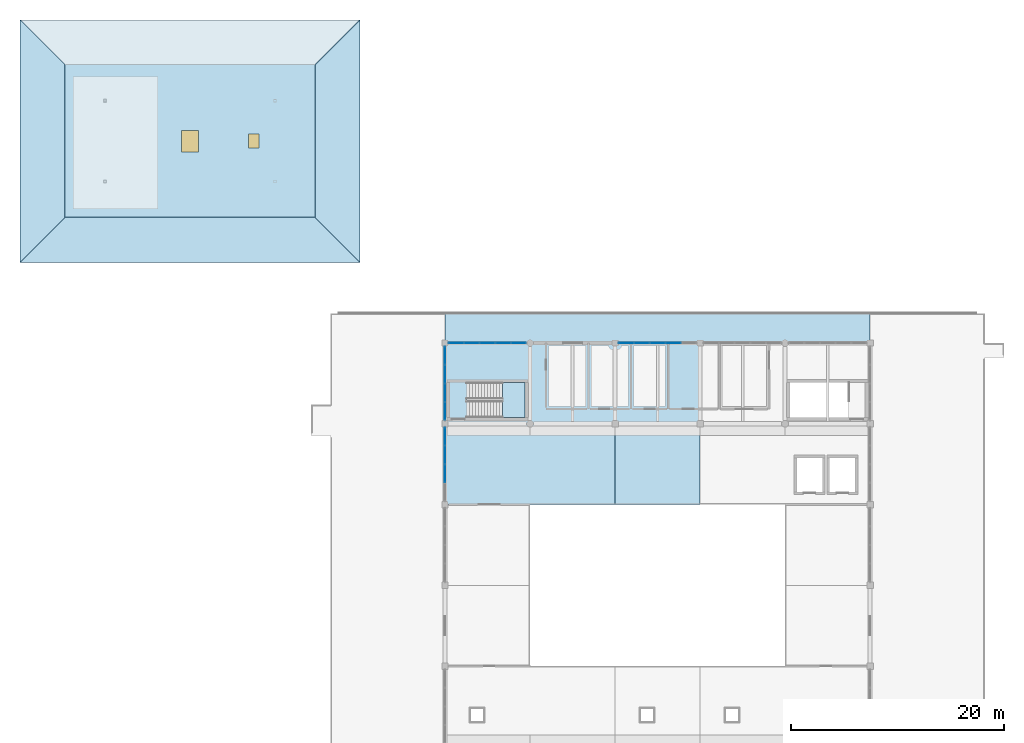
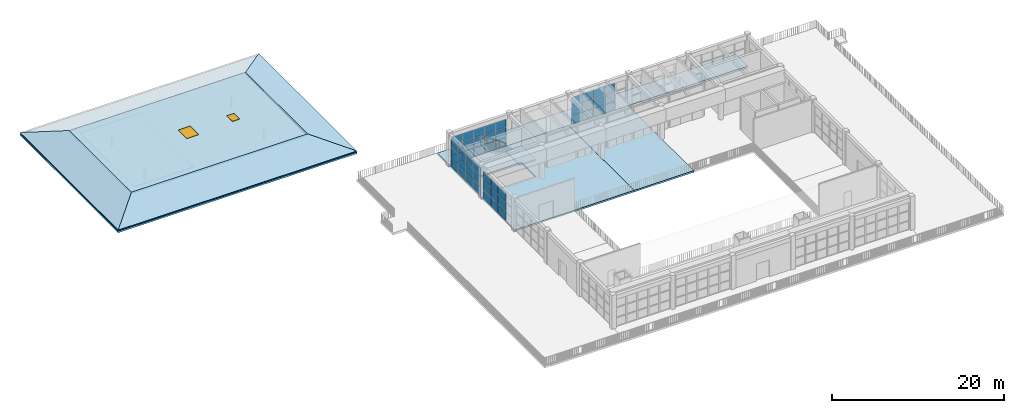
# One storey, part 23 of 32: 48 plates, 9 slabs, 1 door, 1 window, 2 openings, 6 elements without a shape of their own.
"""IFC4 building model written with IfcOpenShell, lengths in metres."""

from ifc_helpers import new_model, si_unit, direction, frame, origin, origin_2d, place, context, subcontext, project, spatial, polyline, rectangle, outline, extrude, material, layer, layer_set, type_object, element, fill, aggregate, save


model = new_model("IFC4")

# Units and contexts
model_context = context("Model", 3, precision=1e-05, world=origin(), true_north=direction((0.0, 1.0)))
body_context = subcontext(model_context, "Body", "Model", "MODEL_VIEW")
ifc_project = project(units=[si_unit("LENGTHUNIT", "METRE"), si_unit("AREAUNIT", "SQUARE_METRE"), si_unit("VOLUMEUNIT", "CUBIC_METRE"), si_unit("PLANEANGLEUNIT", "RADIAN"), si_unit("MASSUNIT", "GRAM", prefix="KILO")], contexts=[model_context])

# Site, building, storey
site_placement = place(None, origin())
site = spatial("IfcSite", under=ifc_project, at=site_placement, CompositionType="ELEMENT")
building_placement = place(site_placement, origin())
building = spatial("IfcBuilding", under=site, at=building_placement, Name="Zantavel Square City Hall", CompositionType="ELEMENT")
storey_placement = place(building_placement, frame((0.0, 0.0, 23.699951171875)))
storey = spatial("IfcBuildingStorey", under=building, at=storey_placement, Name="L06", CompositionType="ELEMENT", Elevation=23.699951171875)

# Stair, slab
ifc_material_1 = material(Name="Concrete C35/45", Category="concrete")
stair_type = type_object("IfcStairType", Name="Enclosed Core Dogleg Stair L06 H4800", PredefinedType="HALF_TURN_STAIR", material=ifc_material_1)
stair_placement = place(storey_placement, origin())
stair = element("IfcStair", 1, at=stair_placement, inside=storey, type_object=stair_type, Name="L06 Exit Stair 5 Central West Core", PredefinedType="HALF_TURN_STAIR")
ifc_layer_1 = layer(ifc_material_1, 0.2099609375, Name="Concrete C35/45")
ifc_layer_set_1 = layer_set([ifc_layer_1], Name="Concrete C35/45")
slab_type_1 = type_object("IfcSlabType", Name="Core Stair Half-Landing Slab C35/45", PredefinedType="LANDING", material=ifc_layer_set_1)
slab_1_placement = place(storey_placement, frame((0.0, 0.0, 2.199951171875)))
slab_1 = element("IfcSlab", 2, at=slab_1_placement, type_object=slab_type_1, Name="ST5 landing 1", PredefinedType="LANDING", context=body_context, shape_type="SweptSolid", body=[
    extrude(outline(polyline([(69.389892578125, 61.39990234375), (71.530029296875, 61.39990234375), (71.530029296875, 64.669921875), (69.389892578125, 64.669921875), (69.389892578125, 61.39990234375)])), origin(), (0.0, 0.0, 1.0), 0.2001953125),
])
aggregate(stair, [slab_1])

# Slabs
ifc_layer_2 = layer(ifc_material_1, 0.22998046875, Name="Concrete C35/45")
ifc_layer_set_2 = layer_set([ifc_layer_2], Name="Concrete C35/45")
slab_type_2 = type_object("IfcSlabType", Name="Gallery Mezzanine Slab 230mm C35/45", PredefinedType="FLOOR", material=ifc_layer_set_2)
slab_2_placement = place(storey_placement, frame((0.0, 0.0, -0.22998046875)))
element("IfcSlab", 3, at=slab_2_placement, inside=storey, type_object=slab_type_2, Name="L06 Floor Slab SLB-L06-V1-07", PredefinedType="FLOOR", context=body_context, shape_type="SweptSolid", body=[
    extrude(outline(polyline([(80.0, 53.199951171875), (72.0, 53.199951171875), (72.0, 53.199951171875), (64.0, 53.199951171875), (64.0, 68.39990234375), (80.0, 68.39990234375), (80.0, 53.199951171875)]), holes=[polyline([(71.530029296875, 64.669921875), (66.050048828125, 64.669921875), (66.050048828125, 61.39990234375), (71.530029296875, 61.39990234375), (71.530029296875, 64.669921875)])]), origin(), (0.0, 0.0, 1.0), 0.22998046875),
])
slab_3_placement = place(storey_placement, frame((0.0, 0.0, -0.22998046875)))
element("IfcSlab", 4, at=slab_3_placement, inside=storey, type_object=slab_type_2, Name="L06 Floor Slab SLB-L06-V1-08", PredefinedType="FLOOR", context=body_context, shape_type="SweptSolid", body=[
    extrude(outline(polyline([(88.0, 53.199951171875), (80.0, 53.199951171875), (80.0, 68.39990234375), (88.0, 68.39990234375), (88.0, 53.199951171875)])), origin(), (0.0, 0.0, 1.0), 0.22998046875),
])

# Roof, slab, openings, door, window
ifc_material_2 = material(Name="Patinated copper-zinc standing seam", Category="aluminium")
roof_type = type_object("IfcRoofType", Name="Copper-Zinc Mansard Roof Assembly", PredefinedType="MANSARD_ROOF", material=ifc_material_2)
roof_placement = place(storey_placement, origin())
roof = element("IfcRoof", 5, at=roof_placement, inside=storey, type_object=roof_type, Name="L06 Copper-Zinc Mansard Roof ROOF-V5-MANSARD", PredefinedType="MANSARD_ROOF")
ifc_layer_3 = layer(ifc_material_1, 0.219970703125, Name="Concrete C35/45")
ifc_layer_set_3 = layer_set([ifc_layer_3], Name="Concrete C35/45")
slab_type_3 = type_object("IfcSlabType", Name="Insulated Flat Roof Slab 220mm C35/45", PredefinedType="ROOF", material=ifc_layer_set_3)
slab_4_placement = place(storey_placement, frame((0.0, 0.0, 1.29296875)))
slab_4 = element("IfcSlab", 6, at=slab_4_placement, type_object=slab_type_3, Name="ROOF-V5-MANSARD Mansard Crown Roof Slab", PredefinedType="ROOF", context=body_context, shape_type="SweptSolid", body=[
    extrude(outline(polyline([(28.179931640625, 80.179931640625), (51.820068359375, 80.179931640625), (51.820068359375, 94.6201171875), (28.179931640625, 94.6201171875), (28.179931640625, 80.179931640625)])), origin(), (0.0, 0.0, 1.0), 0.219970703125),
])
opening_1_placement = place(slab_4_placement, frame((40.0, 87.39990234375, 0.0)))
opening_1 = element("IfcOpeningElement", 7, at=opening_1_placement, cuts=slab_4, Name="Opening SK-08", PredefinedType="OPENING", context=body_context, shape_type="SweptSolid", body=[
    extrude(rectangle(XDim=1.60009765625, YDim=2.0, at=origin_2d()), frame((0.0, 0.0, -0.02001953125)), (0.0, 0.0, 1.0), 0.260009765625),
])
opening_2_placement = place(slab_4_placement, frame((46.0, 87.39990234375, 0.0)))
opening_2 = element("IfcOpeningElement", 8, at=opening_2_placement, cuts=slab_4, Name="Opening RH-06", PredefinedType="OPENING", context=body_context, shape_type="SweptSolid", body=[
    extrude(rectangle(XDim=1.0, YDim=1.300048828125, at=origin_2d()), frame((0.0, 0.0, -0.02001953125)), (0.0, 0.0, 1.0), 0.284912109375),
])
ifc_material_3 = material(Name="Anodised aluminium 6063-T6", Category="aluminium")
door_type = type_object("IfcDoorType", Name="Insulated Roof Maintenance Hatch 1000x1300", OperationType="NOTDEFINED", PredefinedType="TRAPDOOR", material=ifc_material_3)
door_placement = place(opening_2_placement, frame((0.0, 0.0, 0.19482421875)))
door = element("IfcDoor", 9, at=door_placement, inside=storey, type_object=door_type, Name="L06 Roof Maintenance Hatch RH-06", OperationType="SINGLE_SWING_LEFT", OverallHeight=1.300048828125, OverallWidth=1.0, PredefinedType="TRAPDOOR", context=body_context, shape_type="SweptSolid", body=[
    extrude(rectangle(XDim=1.0, YDim=1.300048828125, at=origin_2d()), origin(), (0.0, 0.0, 1.0), 0.050048828125),
])
fill(opening_2, door)
ifc_material_4 = material(Name="Tempered safety glass low-E double glazing", Category="glass")
window_type = type_object("IfcWindowType", Name="Skylight Mansard Crown 1600x2000", PartitioningType="SINGLE_PANEL", PredefinedType="SKYLIGHT", material=ifc_material_4)
window_placement = place(opening_1_placement, frame((0.0, 0.0, 0.169921875)))
window = element("IfcWindow", 10, at=window_placement, inside=storey, type_object=window_type, Name="L06 Roof Skylight SK-08", OverallHeight=2.0, OverallWidth=1.60009765625, PartitioningType="SINGLE_PANEL", PredefinedType="SKYLIGHT", context=body_context, shape_type="SweptSolid", body=[
    extrude(rectangle(XDim=1.60009765625, YDim=2.0, at=origin_2d()), origin(), (0.0, 0.0, 1.0), 0.050048828125),
])
fill(opening_1, window)

# Slab
slab_5_placement = place(storey_placement, frame((0.0, 0.0, -0.219970703125)))
element("IfcSlab", 11, at=slab_5_placement, inside=storey, type_object=slab_type_3, Name="L06 Insulated Flat Roof Slab SLB-ROOF-V5-MANSARD-BASE1-1", PredefinedType="ROOF", context=body_context, shape_type="SweptSolid", body=[
    extrude(outline(polyline([(24.0, 76.0), (24.0, 98.800048828125), (56.0, 98.800048828125), (56.0, 76.0), (24.0, 76.0)])), origin(), (0.0, 0.0, 1.0), 0.219970703125),
])

# Curtain wall, plates
curtain_wall_type_1 = type_object("IfcCurtainWallType", Name="Curtain Wall TRV1 7375x3930", PredefinedType="USERDEFINED", material=ifc_material_3)
curtain_wall_1_placement = place(storey_placement, origin())
curtain_wall_1 = element("IfcCurtainWall", 12, at=curtain_wall_1_placement, inside=storey, type_object=curtain_wall_type_1, Name="L06 Glazed Curtain Wall CW-L06-146", ObjectType="GLAZED CURTAIN WALL", PredefinedType="USERDEFINED")
ifc_layer_4 = layer(ifc_material_4, 0.028076171875, Name="Tempered safety glass low-E double glazing")
ifc_layer_set_4 = layer_set([ifc_layer_4], Name="Tempered safety glass low-E double glazing")
plate_type_1 = type_object("IfcPlateType", Name="Low-E Curtain Glazing Panel 1475x1310x28", PredefinedType="CURTAIN_PANEL", material=ifc_layer_set_4)
plate_1_placement = place(storey_placement, frame((65.052490234375, 68.39990234375, 0.06005859375), z_axis=(0.0, 0.0, 1.0), x_axis=(1.0, 0.0, 0.0)))
plate_1 = element("IfcPlate", 13, at=plate_1_placement, type_object=plate_type_1, Name="CW-146 panel 1.1", PredefinedType="CURTAIN_PANEL", context=body_context, shape_type="SweptSolid", body=[
    extrude(rectangle(XDim=1.385009765625, YDim=0.028076171875, at=origin_2d()), origin(), (0.0, 0.0, 1.0), 1.16796875),
])
plate_2_placement = place(storey_placement, frame((65.052490234375, 68.39990234375, 1.2880859375), z_axis=(0.0, 0.0, 1.0), x_axis=(1.0, 0.0, 0.0)))
plate_2 = element("IfcPlate", 14, at=plate_2_placement, type_object=plate_type_1, Name="CW-146 panel 1.2", PredefinedType="CURTAIN_PANEL", context=body_context, shape_type="SweptSolid", body=[
    extrude(rectangle(XDim=1.385009765625, YDim=0.028076171875, at=origin_2d()), origin(), (0.0, 0.0, 1.0), 1.35400390625),
])
plate_3_placement = place(storey_placement, frame((65.052490234375, 68.39990234375, 2.7021484375), z_axis=(0.0, 0.0, 1.0), x_axis=(1.0, 0.0, 0.0)))
plate_3 = element("IfcPlate", 15, at=plate_3_placement, type_object=plate_type_1, Name="CW-146 panel 1.3", PredefinedType="CURTAIN_PANEL", context=body_context, shape_type="SweptSolid", body=[
    extrude(rectangle(XDim=1.385009765625, YDim=0.028076171875, at=origin_2d()), origin(), (0.0, 0.0, 1.0), 1.16796875),
])
plate_4_placement = place(storey_placement, frame((66.512451171875, 68.39990234375, 0.06005859375), z_axis=(0.0, 0.0, 1.0), x_axis=(1.0, 0.0, 0.0)))
plate_4 = element("IfcPlate", 16, at=plate_4_placement, type_object=plate_type_1, Name="CW-146 panel 2.1", PredefinedType="CURTAIN_PANEL", context=body_context, shape_type="SweptSolid", body=[
    extrude(rectangle(XDim=1.4150390625, YDim=0.028076171875, at=origin_2d()), origin(), (0.0, 0.0, 1.0), 1.16796875),
])
plate_5_placement = place(storey_placement, frame((66.512451171875, 68.39990234375, 1.2880859375), z_axis=(0.0, 0.0, 1.0), x_axis=(1.0, 0.0, 0.0)))
plate_5 = element("IfcPlate", 17, at=plate_5_placement, type_object=plate_type_1, Name="CW-146 panel 2.2", PredefinedType="CURTAIN_PANEL", context=body_context, shape_type="SweptSolid", body=[
    extrude(rectangle(XDim=1.4150390625, YDim=0.028076171875, at=origin_2d()), origin(), (0.0, 0.0, 1.0), 1.35400390625),
])
plate_6_placement = place(storey_placement, frame((66.512451171875, 68.39990234375, 2.7021484375), z_axis=(0.0, 0.0, 1.0), x_axis=(1.0, 0.0, 0.0)))
plate_6 = element("IfcPlate", 18, at=plate_6_placement, type_object=plate_type_1, Name="CW-146 panel 2.3", PredefinedType="CURTAIN_PANEL", context=body_context, shape_type="SweptSolid", body=[
    extrude(rectangle(XDim=1.4150390625, YDim=0.028076171875, at=origin_2d()), origin(), (0.0, 0.0, 1.0), 1.16796875),
])
plate_7_placement = place(storey_placement, frame((67.987548828125, 68.39990234375, 0.06005859375), z_axis=(0.0, 0.0, 1.0), x_axis=(1.0, 0.0, 0.0)))
plate_7 = element("IfcPlate", 19, at=plate_7_placement, type_object=plate_type_1, Name="CW-146 panel 3.1", PredefinedType="CURTAIN_PANEL", context=body_context, shape_type="SweptSolid", body=[
    extrude(rectangle(XDim=1.4150390625, YDim=0.028076171875, at=origin_2d()), origin(), (0.0, 0.0, 1.0), 1.16796875),
])
plate_8_placement = place(storey_placement, frame((67.987548828125, 68.39990234375, 1.2880859375), z_axis=(0.0, 0.0, 1.0), x_axis=(1.0, 0.0, 0.0)))
plate_8 = element("IfcPlate", 20, at=plate_8_placement, type_object=plate_type_1, Name="CW-146 panel 3.2", PredefinedType="CURTAIN_PANEL", context=body_context, shape_type="SweptSolid", body=[
    extrude(rectangle(XDim=1.4150390625, YDim=0.028076171875, at=origin_2d()), origin(), (0.0, 0.0, 1.0), 1.35400390625),
])
plate_9_placement = place(storey_placement, frame((67.987548828125, 68.39990234375, 2.7021484375), z_axis=(0.0, 0.0, 1.0), x_axis=(1.0, 0.0, 0.0)))
plate_9 = element("IfcPlate", 21, at=plate_9_placement, type_object=plate_type_1, Name="CW-146 panel 3.3", PredefinedType="CURTAIN_PANEL", context=body_context, shape_type="SweptSolid", body=[
    extrude(rectangle(XDim=1.4150390625, YDim=0.028076171875, at=origin_2d()), origin(), (0.0, 0.0, 1.0), 1.16796875),
])
plate_10_placement = place(storey_placement, frame((69.46240234375, 68.39990234375, 0.06005859375), z_axis=(0.0, 0.0, 1.0), x_axis=(1.0, 0.0, 0.0)))
plate_10 = element("IfcPlate", 22, at=plate_10_placement, type_object=plate_type_1, Name="CW-146 panel 4.1", PredefinedType="CURTAIN_PANEL", context=body_context, shape_type="SweptSolid", body=[
    extrude(rectangle(XDim=1.4150390625, YDim=0.028076171875, at=origin_2d()), origin(), (0.0, 0.0, 1.0), 1.16796875),
])
plate_11_placement = place(storey_placement, frame((69.46240234375, 68.39990234375, 1.2880859375), z_axis=(0.0, 0.0, 1.0), x_axis=(1.0, 0.0, 0.0)))
plate_11 = element("IfcPlate", 23, at=plate_11_placement, type_object=plate_type_1, Name="CW-146 panel 4.2", PredefinedType="CURTAIN_PANEL", context=body_context, shape_type="SweptSolid", body=[
    extrude(rectangle(XDim=1.4150390625, YDim=0.028076171875, at=origin_2d()), origin(), (0.0, 0.0, 1.0), 1.35400390625),
])
plate_12_placement = place(storey_placement, frame((69.46240234375, 68.39990234375, 2.7021484375), z_axis=(0.0, 0.0, 1.0), x_axis=(1.0, 0.0, 0.0)))
plate_12 = element("IfcPlate", 24, at=plate_12_placement, type_object=plate_type_1, Name="CW-146 panel 4.3", PredefinedType="CURTAIN_PANEL", context=body_context, shape_type="SweptSolid", body=[
    extrude(rectangle(XDim=1.4150390625, YDim=0.028076171875, at=origin_2d()), origin(), (0.0, 0.0, 1.0), 1.16796875),
])
plate_13_placement = place(storey_placement, frame((70.922607421875, 68.39990234375, 0.06005859375), z_axis=(0.0, 0.0, 1.0), x_axis=(1.0, 0.0, 0.0)))
plate_13 = element("IfcPlate", 25, at=plate_13_placement, type_object=plate_type_1, Name="CW-146 panel 5.1", PredefinedType="CURTAIN_PANEL", context=body_context, shape_type="SweptSolid", body=[
    extrude(rectangle(XDim=1.385009765625, YDim=0.028076171875, at=origin_2d()), origin(), (0.0, 0.0, 1.0), 1.16796875),
])
plate_14_placement = place(storey_placement, frame((70.922607421875, 68.39990234375, 1.2880859375), z_axis=(0.0, 0.0, 1.0), x_axis=(1.0, 0.0, 0.0)))
plate_14 = element("IfcPlate", 26, at=plate_14_placement, type_object=plate_type_1, Name="CW-146 panel 5.2", PredefinedType="CURTAIN_PANEL", context=body_context, shape_type="SweptSolid", body=[
    extrude(rectangle(XDim=1.385009765625, YDim=0.028076171875, at=origin_2d()), origin(), (0.0, 0.0, 1.0), 1.35400390625),
])
plate_15_placement = place(storey_placement, frame((70.922607421875, 68.39990234375, 2.7021484375), z_axis=(0.0, 0.0, 1.0), x_axis=(1.0, 0.0, 0.0)))
plate_15 = element("IfcPlate", 27, at=plate_15_placement, type_object=plate_type_1, Name="CW-146 panel 5.3", PredefinedType="CURTAIN_PANEL", context=body_context, shape_type="SweptSolid", body=[
    extrude(rectangle(XDim=1.385009765625, YDim=0.028076171875, at=origin_2d()), origin(), (0.0, 0.0, 1.0), 1.16796875),
])
aggregate(curtain_wall_1, [plate_1, plate_2, plate_3, plate_4, plate_5, plate_6, plate_7, plate_8, plate_9, plate_10, plate_11, plate_12, plate_13, plate_14, plate_15])

curtain_wall_type_2 = type_object("IfcCurtainWallType", Name="Curtain Wall TRV1 7400x3930", PredefinedType="USERDEFINED", material=ifc_material_3)
curtain_wall_2_placement = place(storey_placement, origin())
curtain_wall_2 = element("IfcCurtainWall", 28, at=curtain_wall_2_placement, inside=storey, type_object=curtain_wall_type_2, Name="L06 Glazed Curtain Wall CW-L06-147", ObjectType="GLAZED CURTAIN WALL", PredefinedType="USERDEFINED")
ifc_layer_5 = layer(ifc_material_4, 0.028076171875, Name="Tempered safety glass low-E double glazing")
ifc_layer_set_5 = layer_set([ifc_layer_5], Name="Tempered safety glass low-E double glazing")
plate_type_2 = type_object("IfcPlateType", Name="Low-E Curtain Glazing Panel 1480x1310x28", PredefinedType="CURTAIN_PANEL", material=ifc_layer_set_5)
plate_16_placement = place(storey_placement, frame((81.054931640625, 68.39990234375, 0.06005859375), z_axis=(0.0, 0.0, 1.0), x_axis=(1.0, 0.0, 0.0)))
plate_16 = element("IfcPlate", 29, at=plate_16_placement, type_object=plate_type_2, Name="CW-147 panel 1.1", PredefinedType="CURTAIN_PANEL", context=body_context, shape_type="SweptSolid", body=[
    extrude(rectangle(XDim=1.389892578125, YDim=0.028076171875, at=origin_2d()), origin(), (0.0, 0.0, 1.0), 1.16796875),
])
plate_17_placement = place(storey_placement, frame((81.054931640625, 68.39990234375, 1.2880859375), z_axis=(0.0, 0.0, 1.0), x_axis=(1.0, 0.0, 0.0)))
plate_17 = element("IfcPlate", 30, at=plate_17_placement, type_object=plate_type_2, Name="CW-147 panel 1.2", PredefinedType="CURTAIN_PANEL", context=body_context, shape_type="SweptSolid", body=[
    extrude(rectangle(XDim=1.389892578125, YDim=0.028076171875, at=origin_2d()), origin(), (0.0, 0.0, 1.0), 1.35400390625),
])
plate_18_placement = place(storey_placement, frame((81.054931640625, 68.39990234375, 2.7021484375), z_axis=(0.0, 0.0, 1.0), x_axis=(1.0, 0.0, 0.0)))
plate_18 = element("IfcPlate", 31, at=plate_18_placement, type_object=plate_type_2, Name="CW-147 panel 1.3", PredefinedType="CURTAIN_PANEL", context=body_context, shape_type="SweptSolid", body=[
    extrude(rectangle(XDim=1.389892578125, YDim=0.028076171875, at=origin_2d()), origin(), (0.0, 0.0, 1.0), 1.16796875),
])
plate_19_placement = place(storey_placement, frame((82.52001953125, 68.39990234375, 0.06005859375), z_axis=(0.0, 0.0, 1.0), x_axis=(1.0, 0.0, 0.0)))
plate_19 = element("IfcPlate", 32, at=plate_19_placement, type_object=plate_type_2, Name="CW-147 panel 2.1", PredefinedType="CURTAIN_PANEL", context=body_context, shape_type="SweptSolid", body=[
    extrude(rectangle(XDim=1.419921875, YDim=0.028076171875, at=origin_2d()), origin(), (0.0, 0.0, 1.0), 1.16796875),
])
plate_20_placement = place(storey_placement, frame((82.52001953125, 68.39990234375, 1.2880859375), z_axis=(0.0, 0.0, 1.0), x_axis=(1.0, 0.0, 0.0)))
plate_20 = element("IfcPlate", 33, at=plate_20_placement, type_object=plate_type_2, Name="CW-147 panel 2.2", PredefinedType="CURTAIN_PANEL", context=body_context, shape_type="SweptSolid", body=[
    extrude(rectangle(XDim=1.419921875, YDim=0.028076171875, at=origin_2d()), origin(), (0.0, 0.0, 1.0), 1.35400390625),
])
plate_21_placement = place(storey_placement, frame((82.52001953125, 68.39990234375, 2.7021484375), z_axis=(0.0, 0.0, 1.0), x_axis=(1.0, 0.0, 0.0)))
plate_21 = element("IfcPlate", 34, at=plate_21_placement, type_object=plate_type_2, Name="CW-147 panel 2.3", PredefinedType="CURTAIN_PANEL", context=body_context, shape_type="SweptSolid", body=[
    extrude(rectangle(XDim=1.419921875, YDim=0.028076171875, at=origin_2d()), origin(), (0.0, 0.0, 1.0), 1.16796875),
])
plate_22_placement = place(storey_placement, frame((84.0, 68.39990234375, 0.06005859375), z_axis=(0.0, 0.0, 1.0), x_axis=(1.0, 0.0, 0.0)))
plate_22 = element("IfcPlate", 35, at=plate_22_placement, type_object=plate_type_2, Name="CW-147 panel 3.1", PredefinedType="CURTAIN_PANEL", context=body_context, shape_type="SweptSolid", body=[
    extrude(rectangle(XDim=1.419921875, YDim=0.028076171875, at=origin_2d()), origin(), (0.0, 0.0, 1.0), 1.16796875),
])
plate_23_placement = place(storey_placement, frame((84.0, 68.39990234375, 1.2880859375), z_axis=(0.0, 0.0, 1.0), x_axis=(1.0, 0.0, 0.0)))
plate_23 = element("IfcPlate", 36, at=plate_23_placement, type_object=plate_type_2, Name="CW-147 panel 3.2", PredefinedType="CURTAIN_PANEL", context=body_context, shape_type="SweptSolid", body=[
    extrude(rectangle(XDim=1.419921875, YDim=0.028076171875, at=origin_2d()), origin(), (0.0, 0.0, 1.0), 1.35400390625),
])
plate_24_placement = place(storey_placement, frame((84.0, 68.39990234375, 2.7021484375), z_axis=(0.0, 0.0, 1.0), x_axis=(1.0, 0.0, 0.0)))
plate_24 = element("IfcPlate", 37, at=plate_24_placement, type_object=plate_type_2, Name="CW-147 panel 3.3", PredefinedType="CURTAIN_PANEL", context=body_context, shape_type="SweptSolid", body=[
    extrude(rectangle(XDim=1.419921875, YDim=0.028076171875, at=origin_2d()), origin(), (0.0, 0.0, 1.0), 1.16796875),
])
plate_25_placement = place(storey_placement, frame((85.47998046875, 68.39990234375, 0.06005859375), z_axis=(0.0, 0.0, 1.0), x_axis=(1.0, 0.0, 0.0)))
plate_25 = element("IfcPlate", 38, at=plate_25_placement, type_object=plate_type_2, Name="CW-147 panel 4.1", PredefinedType="CURTAIN_PANEL", context=body_context, shape_type="SweptSolid", body=[
    extrude(rectangle(XDim=1.419921875, YDim=0.028076171875, at=origin_2d()), origin(), (0.0, 0.0, 1.0), 1.16796875),
])
plate_26_placement = place(storey_placement, frame((85.47998046875, 68.39990234375, 1.2880859375), z_axis=(0.0, 0.0, 1.0), x_axis=(1.0, 0.0, 0.0)))
plate_26 = element("IfcPlate", 39, at=plate_26_placement, type_object=plate_type_2, Name="CW-147 panel 4.2", PredefinedType="CURTAIN_PANEL", context=body_context, shape_type="SweptSolid", body=[
    extrude(rectangle(XDim=1.419921875, YDim=0.028076171875, at=origin_2d()), origin(), (0.0, 0.0, 1.0), 1.35400390625),
])
plate_27_placement = place(storey_placement, frame((85.47998046875, 68.39990234375, 2.7021484375), z_axis=(0.0, 0.0, 1.0), x_axis=(1.0, 0.0, 0.0)))
plate_27 = element("IfcPlate", 40, at=plate_27_placement, type_object=plate_type_2, Name="CW-147 panel 4.3", PredefinedType="CURTAIN_PANEL", context=body_context, shape_type="SweptSolid", body=[
    extrude(rectangle(XDim=1.419921875, YDim=0.028076171875, at=origin_2d()), origin(), (0.0, 0.0, 1.0), 1.16796875),
])
aggregate(curtain_wall_2, [plate_16, plate_17, plate_18, plate_19, plate_20, plate_21, plate_22, plate_23, plate_24, plate_25, plate_26, plate_27])

curtain_wall_type_3 = type_object("IfcCurtainWallType", Name="Curtain Wall TRV1 7000x4030", PredefinedType="USERDEFINED", material=ifc_material_3)
curtain_wall_3_placement = place(storey_placement, origin())
curtain_wall_3 = element("IfcCurtainWall", 41, at=curtain_wall_3_placement, inside=storey, type_object=curtain_wall_type_3, Name="L06 Glazed Curtain Wall CW-L06-144", ObjectType="GLAZED CURTAIN WALL", PredefinedType="USERDEFINED")
ifc_layer_6 = layer(ifc_material_4, 0.028076171875, Name="Tempered safety glass low-E double glazing")
ifc_layer_set_6 = layer_set([ifc_layer_6], Name="Tempered safety glass low-E double glazing")
plate_type_3 = type_object("IfcPlateType", Name="Low-E Curtain Glazing Panel 1750x1343x28", PredefinedType="CURTAIN_PANEL", material=ifc_layer_set_6)
plate_28_placement = place(storey_placement, frame((64.0, 56.125, 0.06005859375), z_axis=(0.0, 0.0, 1.0), x_axis=(0.0, 1.0, 0.0)))
plate_28 = element("IfcPlate", 42, at=plate_28_placement, type_object=plate_type_3, Name="CW-144 panel 2.1", PredefinedType="CURTAIN_PANEL", context=body_context, shape_type="SweptSolid", body=[
    extrude(rectangle(XDim=1.68994140625, YDim=0.028076171875, at=origin_2d()), origin(), (0.0, 0.0, 1.0), 1.199951171875),
])
plate_29_placement = place(storey_placement, frame((64.0, 56.125, 1.3203125), z_axis=(0.0, 0.0, 1.0), x_axis=(0.0, 1.0, 0.0)))
plate_29 = element("IfcPlate", 43, at=plate_29_placement, type_object=plate_type_3, Name="CW-144 panel 2.2", PredefinedType="CURTAIN_PANEL", context=body_context, shape_type="SweptSolid", body=[
    extrude(rectangle(XDim=1.68994140625, YDim=0.028076171875, at=origin_2d()), origin(), (0.0, 0.0, 1.0), 1.389892578125),
])
plate_30_placement = place(storey_placement, frame((64.0, 56.125, 2.77001953125), z_axis=(0.0, 0.0, 1.0), x_axis=(0.0, 1.0, 0.0)))
plate_30 = element("IfcPlate", 44, at=plate_30_placement, type_object=plate_type_3, Name="CW-144 panel 2.3", PredefinedType="CURTAIN_PANEL", context=body_context, shape_type="SweptSolid", body=[
    extrude(rectangle(XDim=1.68994140625, YDim=0.028076171875, at=origin_2d()), origin(), (0.0, 0.0, 1.0), 1.199951171875),
])
plate_31_placement = place(storey_placement, frame((64.0, 57.875, 0.06005859375), z_axis=(0.0, 0.0, 1.0), x_axis=(0.0, 1.0, 0.0)))
plate_31 = element("IfcPlate", 45, at=plate_31_placement, type_object=plate_type_3, Name="CW-144 panel 3.1", PredefinedType="CURTAIN_PANEL", context=body_context, shape_type="SweptSolid", body=[
    extrude(rectangle(XDim=1.68994140625, YDim=0.028076171875, at=origin_2d()), origin(), (0.0, 0.0, 1.0), 1.199951171875),
])
plate_32_placement = place(storey_placement, frame((64.0, 57.875, 1.3203125), z_axis=(0.0, 0.0, 1.0), x_axis=(0.0, 1.0, 0.0)))
plate_32 = element("IfcPlate", 46, at=plate_32_placement, type_object=plate_type_3, Name="CW-144 panel 3.2", PredefinedType="CURTAIN_PANEL", context=body_context, shape_type="SweptSolid", body=[
    extrude(rectangle(XDim=1.68994140625, YDim=0.028076171875, at=origin_2d()), origin(), (0.0, 0.0, 1.0), 1.389892578125),
])
plate_33_placement = place(storey_placement, frame((64.0, 57.875, 2.77001953125), z_axis=(0.0, 0.0, 1.0), x_axis=(0.0, 1.0, 0.0)))
plate_33 = element("IfcPlate", 47, at=plate_33_placement, type_object=plate_type_3, Name="CW-144 panel 3.3", PredefinedType="CURTAIN_PANEL", context=body_context, shape_type="SweptSolid", body=[
    extrude(rectangle(XDim=1.68994140625, YDim=0.028076171875, at=origin_2d()), origin(), (0.0, 0.0, 1.0), 1.199951171875),
])
plate_34_placement = place(storey_placement, frame((64.0, 59.610107421875, 0.06005859375), z_axis=(0.0, 0.0, 1.0), x_axis=(0.0, 1.0, 0.0)))
plate_34 = element("IfcPlate", 48, at=plate_34_placement, type_object=plate_type_3, Name="CW-144 panel 4.1", PredefinedType="CURTAIN_PANEL", context=body_context, shape_type="SweptSolid", body=[
    extrude(rectangle(XDim=1.659912109375, YDim=0.028076171875, at=origin_2d()), origin(), (0.0, 0.0, 1.0), 1.199951171875),
])
plate_35_placement = place(storey_placement, frame((64.0, 59.610107421875, 1.3203125), z_axis=(0.0, 0.0, 1.0), x_axis=(0.0, 1.0, 0.0)))
plate_35 = element("IfcPlate", 49, at=plate_35_placement, type_object=plate_type_3, Name="CW-144 panel 4.2", PredefinedType="CURTAIN_PANEL", context=body_context, shape_type="SweptSolid", body=[
    extrude(rectangle(XDim=1.659912109375, YDim=0.028076171875, at=origin_2d()), origin(), (0.0, 0.0, 1.0), 1.389892578125),
])
plate_36_placement = place(storey_placement, frame((64.0, 59.610107421875, 2.77001953125), z_axis=(0.0, 0.0, 1.0), x_axis=(0.0, 1.0, 0.0)))
plate_36 = element("IfcPlate", 50, at=plate_36_placement, type_object=plate_type_3, Name="CW-144 panel 4.3", PredefinedType="CURTAIN_PANEL", context=body_context, shape_type="SweptSolid", body=[
    extrude(rectangle(XDim=1.659912109375, YDim=0.028076171875, at=origin_2d()), origin(), (0.0, 0.0, 1.0), 1.199951171875),
])
aggregate(curtain_wall_3, [plate_28, plate_29, plate_30, plate_31, plate_32, plate_33, plate_34, plate_35, plate_36])

curtain_wall_4_placement = place(storey_placement, origin())
curtain_wall_4 = element("IfcCurtainWall", 51, at=curtain_wall_4_placement, inside=storey, type_object=curtain_wall_type_3, Name="L06 Glazed Curtain Wall CW-L06-145", ObjectType="GLAZED CURTAIN WALL", PredefinedType="USERDEFINED")
plate_37_placement = place(storey_placement, frame((64.0, 61.989990234375, 0.06005859375), z_axis=(0.0, 0.0, 1.0), x_axis=(0.0, 1.0, 0.0)))
plate_37 = element("IfcPlate", 52, at=plate_37_placement, type_object=plate_type_3, Name="CW-145 panel 1.1", PredefinedType="CURTAIN_PANEL", context=body_context, shape_type="SweptSolid", body=[
    extrude(rectangle(XDim=1.659912109375, YDim=0.028076171875, at=origin_2d()), origin(), (0.0, 0.0, 1.0), 1.199951171875),
])
plate_38_placement = place(storey_placement, frame((64.0, 61.989990234375, 1.3203125), z_axis=(0.0, 0.0, 1.0), x_axis=(0.0, 1.0, 0.0)))
plate_38 = element("IfcPlate", 53, at=plate_38_placement, type_object=plate_type_3, Name="CW-145 panel 1.2", PredefinedType="CURTAIN_PANEL", context=body_context, shape_type="SweptSolid", body=[
    extrude(rectangle(XDim=1.659912109375, YDim=0.028076171875, at=origin_2d()), origin(), (0.0, 0.0, 1.0), 1.389892578125),
])
plate_39_placement = place(storey_placement, frame((64.0, 61.989990234375, 2.77001953125), z_axis=(0.0, 0.0, 1.0), x_axis=(0.0, 1.0, 0.0)))
plate_39 = element("IfcPlate", 54, at=plate_39_placement, type_object=plate_type_3, Name="CW-145 panel 1.3", PredefinedType="CURTAIN_PANEL", context=body_context, shape_type="SweptSolid", body=[
    extrude(rectangle(XDim=1.659912109375, YDim=0.028076171875, at=origin_2d()), origin(), (0.0, 0.0, 1.0), 1.199951171875),
])
plate_40_placement = place(storey_placement, frame((64.0, 63.72509765625, 0.06005859375), z_axis=(0.0, 0.0, 1.0), x_axis=(0.0, 1.0, 0.0)))
plate_40 = element("IfcPlate", 55, at=plate_40_placement, type_object=plate_type_3, Name="CW-145 panel 2.1", PredefinedType="CURTAIN_PANEL", context=body_context, shape_type="SweptSolid", body=[
    extrude(rectangle(XDim=1.68994140625, YDim=0.028076171875, at=origin_2d()), origin(), (0.0, 0.0, 1.0), 1.199951171875),
])
plate_41_placement = place(storey_placement, frame((64.0, 63.72509765625, 1.3203125), z_axis=(0.0, 0.0, 1.0), x_axis=(0.0, 1.0, 0.0)))
plate_41 = element("IfcPlate", 56, at=plate_41_placement, type_object=plate_type_3, Name="CW-145 panel 2.2", PredefinedType="CURTAIN_PANEL", context=body_context, shape_type="SweptSolid", body=[
    extrude(rectangle(XDim=1.68994140625, YDim=0.028076171875, at=origin_2d()), origin(), (0.0, 0.0, 1.0), 1.389892578125),
])
plate_42_placement = place(storey_placement, frame((64.0, 63.72509765625, 2.77001953125), z_axis=(0.0, 0.0, 1.0), x_axis=(0.0, 1.0, 0.0)))
plate_42 = element("IfcPlate", 57, at=plate_42_placement, type_object=plate_type_3, Name="CW-145 panel 2.3", PredefinedType="CURTAIN_PANEL", context=body_context, shape_type="SweptSolid", body=[
    extrude(rectangle(XDim=1.68994140625, YDim=0.028076171875, at=origin_2d()), origin(), (0.0, 0.0, 1.0), 1.199951171875),
])
plate_43_placement = place(storey_placement, frame((64.0, 65.47509765625, 0.06005859375), z_axis=(0.0, 0.0, 1.0), x_axis=(0.0, 1.0, 0.0)))
plate_43 = element("IfcPlate", 58, at=plate_43_placement, type_object=plate_type_3, Name="CW-145 panel 3.1", PredefinedType="CURTAIN_PANEL", context=body_context, shape_type="SweptSolid", body=[
    extrude(rectangle(XDim=1.68994140625, YDim=0.028076171875, at=origin_2d()), origin(), (0.0, 0.0, 1.0), 1.199951171875),
])
plate_44_placement = place(storey_placement, frame((64.0, 65.47509765625, 1.3203125), z_axis=(0.0, 0.0, 1.0), x_axis=(0.0, 1.0, 0.0)))
plate_44 = element("IfcPlate", 59, at=plate_44_placement, type_object=plate_type_3, Name="CW-145 panel 3.2", PredefinedType="CURTAIN_PANEL", context=body_context, shape_type="SweptSolid", body=[
    extrude(rectangle(XDim=1.68994140625, YDim=0.028076171875, at=origin_2d()), origin(), (0.0, 0.0, 1.0), 1.389892578125),
])
plate_45_placement = place(storey_placement, frame((64.0, 65.47509765625, 2.77001953125), z_axis=(0.0, 0.0, 1.0), x_axis=(0.0, 1.0, 0.0)))
plate_45 = element("IfcPlate", 60, at=plate_45_placement, type_object=plate_type_3, Name="CW-145 panel 3.3", PredefinedType="CURTAIN_PANEL", context=body_context, shape_type="SweptSolid", body=[
    extrude(rectangle(XDim=1.68994140625, YDim=0.028076171875, at=origin_2d()), origin(), (0.0, 0.0, 1.0), 1.199951171875),
])
plate_46_placement = place(storey_placement, frame((64.0, 67.2099609375, 0.06005859375), z_axis=(0.0, 0.0, 1.0), x_axis=(0.0, 1.0, 0.0)))
plate_46 = element("IfcPlate", 61, at=plate_46_placement, type_object=plate_type_3, Name="CW-145 panel 4.1", PredefinedType="CURTAIN_PANEL", context=body_context, shape_type="SweptSolid", body=[
    extrude(rectangle(XDim=1.659912109375, YDim=0.028076171875, at=origin_2d()), origin(), (0.0, 0.0, 1.0), 1.199951171875),
])
plate_47_placement = place(storey_placement, frame((64.0, 67.2099609375, 1.3203125), z_axis=(0.0, 0.0, 1.0), x_axis=(0.0, 1.0, 0.0)))
plate_47 = element("IfcPlate", 62, at=plate_47_placement, type_object=plate_type_3, Name="CW-145 panel 4.2", PredefinedType="CURTAIN_PANEL", context=body_context, shape_type="SweptSolid", body=[
    extrude(rectangle(XDim=1.659912109375, YDim=0.028076171875, at=origin_2d()), origin(), (0.0, 0.0, 1.0), 1.389892578125),
])
plate_48_placement = place(storey_placement, frame((64.0, 67.2099609375, 2.77001953125), z_axis=(0.0, 0.0, 1.0), x_axis=(0.0, 1.0, 0.0)))
plate_48 = element("IfcPlate", 63, at=plate_48_placement, type_object=plate_type_3, Name="CW-145 panel 4.3", PredefinedType="CURTAIN_PANEL", context=body_context, shape_type="SweptSolid", body=[
    extrude(rectangle(XDim=1.659912109375, YDim=0.028076171875, at=origin_2d()), origin(), (0.0, 0.0, 1.0), 1.199951171875),
])
aggregate(curtain_wall_4, [plate_37, plate_38, plate_39, plate_40, plate_41, plate_42, plate_43, plate_44, plate_45, plate_46, plate_47, plate_48])

# Slab
ifc_layer_7 = layer(ifc_material_1, 0.179931640625, Name="Concrete C35/45")
ifc_layer_set_7 = layer_set([ifc_layer_7], Name="Concrete C35/45")
slab_type_4 = type_object("IfcSlabType", Name="Mansard Sloped Roof Deck 180mm C35/45", PredefinedType="ROOF", material=ifc_layer_set_7)
slab_6_placement = place(storey_placement, frame((24.0, 76.0, 0.163330078125), z_axis=(0.0, -0.308987314148, 0.951066159473), x_axis=(1.0, 0.0, 0.0)))
slab_6 = element("IfcSlab", 64, at=slab_6_placement, type_object=slab_type_4, Name="ROOF-V5-MANSARD Sloped Mansard Skirt S", PredefinedType="ROOF", context=body_context, shape_type="SweptSolid", body=[
    extrude(outline(polyline([(0.0, 0.0), (32.0, 0.0), (27.800048828125, 4.416045224657026), (4.199951171875, 4.416045224657026), (0.0, 0.0)])), origin(), (0.0, 0.0, -1.0), 0.179931640625),
])

slab_7_placement = place(storey_placement, frame((24.0, 98.800048828125, 0.163330078125), z_axis=(-0.308987314148, 0.0, 0.951066159473), x_axis=(0.0, -1.0, 0.0)))
slab_7 = element("IfcSlab", 65, at=slab_7_placement, type_object=slab_type_4, Name="ROOF-V5-MANSARD Sloped Mansard Skirt W", PredefinedType="ROOF", context=body_context, shape_type="SweptSolid", body=[
    extrude(outline(polyline([(0.0, 0.0), (22.800048828125, 0.0), (18.60009765625, 4.416045224657027), (4.199951171875, 4.416045224657027), (0.0, 0.0)])), origin(), (0.0, 0.0, -1.0), 0.179931640625),
])

slab_8_placement = place(storey_placement, frame((56.0, 76.0, 0.163330078125), z_axis=(0.308987314148, 0.0, 0.951066159473), x_axis=(0.0, 1.0, 0.0)))
slab_8 = element("IfcSlab", 66, at=slab_8_placement, type_object=slab_type_4, Name="ROOF-V5-MANSARD Sloped Mansard Skirt E", PredefinedType="ROOF", context=body_context, shape_type="SweptSolid", body=[
    extrude(outline(polyline([(0.0, 0.0), (22.800048828125, 0.0), (18.60009765625, 4.416045224657027), (4.199951171875, 4.416045224657027), (0.0, 0.0)])), origin(), (0.0, 0.0, -1.0), 0.179931640625),
])

aggregate(roof, [slab_6, slab_7, slab_8, slab_4])

ifc_material_5 = material(Name="Precast concrete C40/50", Category="concrete")
ifc_layer_8 = layer(ifc_material_5, 0.280029296875, Name="Precast concrete C40/50")
ifc_layer_set_8 = layer_set([ifc_layer_8], Name="Precast concrete C40/50")
slab_type_5 = type_object("IfcSlabType", Name="White Cantera Tray Slab 280mm C40/50", PredefinedType="FLOOR", material=ifc_layer_set_8)
slab_9_placement = place(storey_placement, frame((0.0, 0.0, -0.280029296875)))
element("IfcSlab", 67, at=slab_9_placement, inside=storey, type_object=slab_type_5, Name="L06 Outdoor Terrace Slab SLB-L06-TRAY4-N", PredefinedType="FLOOR", context=body_context, shape_type="SweptSolid", body=[
    extrude(outline(polyline([(104.0, 68.39990234375), (88.0, 68.39990234375), (80.0, 68.39990234375), (64.0, 68.39990234375), (64.0, 71.199951171875), (104.0, 71.199951171875), (104.0, 68.39990234375)])), origin(), (0.0, 0.0, 1.0), 0.280029296875),
])

save(model, "model.ifc")
